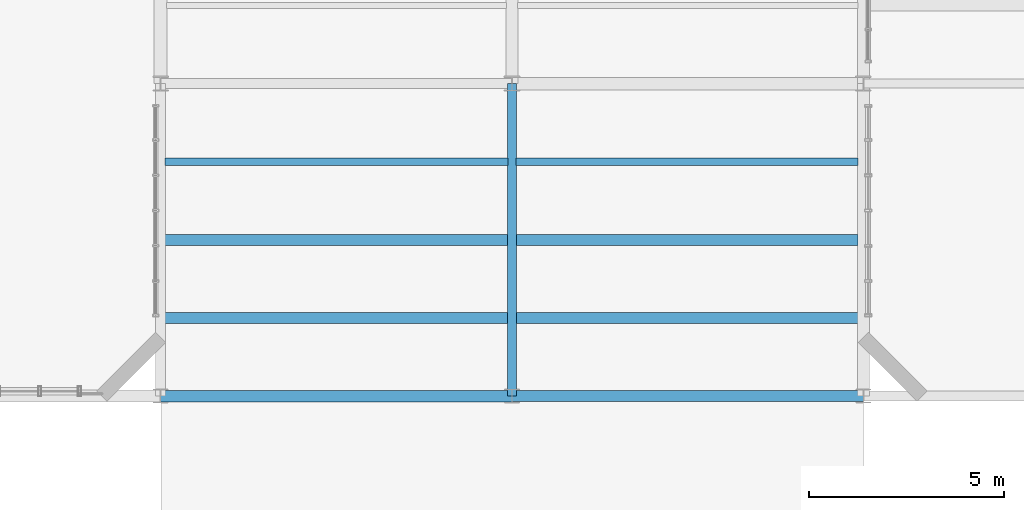
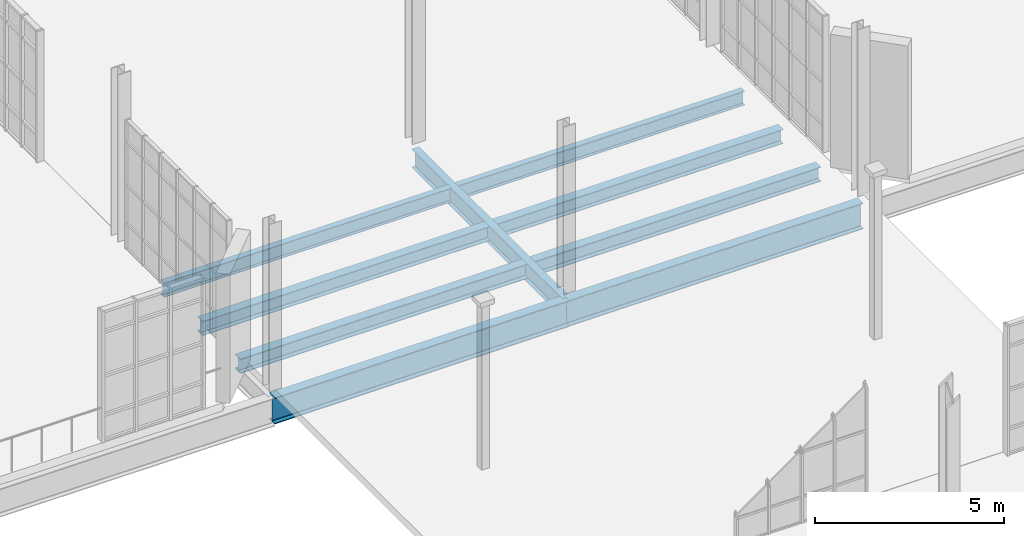
# One storey, part 66 of 189: 9 beams.
"""IFC4 building model written with IfcOpenShell, lengths in metres."""

from ifc_helpers import new_model, si_unit, direction, frame, origin, origin_2d, place, context, subcontext, project, spatial, i_section, extrude, material, material_profile, profile_set, type_object, element, save


model = new_model("IFC4")

# Units and contexts
model_context = context("Model", 3, precision=1e-05, world=origin(), true_north=direction((0.0, 1.0)))
body_context = subcontext(model_context, "Body", "Model", "MODEL_VIEW")
ifc_project = project(units=[si_unit("LENGTHUNIT", "METRE"), si_unit("AREAUNIT", "SQUARE_METRE"), si_unit("VOLUMEUNIT", "CUBIC_METRE"), si_unit("PLANEANGLEUNIT", "RADIAN"), si_unit("MASSUNIT", "GRAM", prefix="KILO"), si_unit("THERMODYNAMICTEMPERATUREUNIT", "KELVIN"), si_unit("POWERUNIT", "WATT")], contexts=[model_context])

# Site, building, storey
site_placement = place(None, origin())
site = spatial("IfcSite", under=ifc_project, at=site_placement, CompositionType="ELEMENT")
building_placement = place(site_placement, origin())
building = spatial("IfcBuilding", under=site, at=building_placement, Name="Zelmaris Science Centre", CompositionType="ELEMENT")
storey_placement = place(building_placement, origin())
storey = spatial("IfcBuildingStorey", under=building, at=storey_placement, Name="L00", CompositionType="ELEMENT", Elevation=0.0)

# Beams
ifc_material = material(Name="Steel ASTM A992 Grade 50", Category="steel")
ifc_material_profile_1 = material_profile(ifc_material, i_section(OverallWidth=0.294921875, OverallDepth=0.85107421875, WebThickness=0.01611328125, FlangeThickness=0.02685546875, FilletRadius=0.02001953125, at=origin_2d()), Name="W33X152")
ifc_profile_set_1 = profile_set([ifc_material_profile_1], Name="Steel ASTM A992 Grade 50")
beam_type_1 = type_object("IfcBeamType", Name="Beam G-06 W33X152", PredefinedType="BEAM", material=ifc_profile_set_1)
beam_1_placement = place(storey_placement, frame((72.0, 64.0, -0.70556640625), z_axis=(1.0, 0.0, 0.0), x_axis=(0.0, 1.0, 0.0)))
element("IfcBeam", 1, at=beam_1_placement, inside=storey, type_object=beam_type_1, Name="L00 East-west girder 157", PredefinedType="BEAM", context=body_context, shape_type="SweptSolid", body=[
    extrude(i_section(OverallWidth=0.294921875, OverallDepth=0.85107421875, WebThickness=0.01611328125, FlangeThickness=0.02685546875, FilletRadius=0.02001953125, at=origin_2d()), origin(), (0.0, 0.0, 1.0), 9.0),
])
ifc_material_profile_2 = material_profile(ifc_material, i_section(OverallWidth=0.2919921875, OverallDepth=0.841064453125, WebThickness=0.0146484375, FlangeThickness=0.021728515625, FilletRadius=0.02001953125, at=origin_2d()), Name="W33X130")
ifc_profile_set_2 = profile_set([ifc_material_profile_2], Name="Steel ASTM A992 Grade 50")
beam_type_2 = type_object("IfcBeamType", Name="Beam G-07 W33X130", PredefinedType="BEAM", material=ifc_profile_set_2)
beam_2_placement = place(storey_placement, frame((81.0, 64.0, -0.700439453125), z_axis=(1.0, 0.0, 0.0), x_axis=(0.0, 1.0, 0.0)))
element("IfcBeam", 2, at=beam_2_placement, inside=storey, type_object=beam_type_2, Name="L00 East-west girder 158", PredefinedType="BEAM", context=body_context, shape_type="SweptSolid", body=[
    extrude(i_section(OverallWidth=0.2919921875, OverallDepth=0.841064453125, WebThickness=0.0146484375, FlangeThickness=0.021728515625, FilletRadius=0.02001953125, at=origin_2d()), origin(), (0.0, 0.0, 1.0), 9.0),
])
ifc_material_profile_3 = material_profile(ifc_material, i_section(OverallWidth=0.22900390625, OverallDepth=0.60205078125, WebThickness=0.010498046875, FlangeThickness=0.014892578125, FilletRadius=0.014892578125, at=origin_2d()), Name="W24X68")
ifc_profile_set_3 = profile_set([ifc_material_profile_3], Name="Steel ASTM A992 Grade 50")
beam_type_3 = type_object("IfcBeamType", Name="Beam G-17 W24X68", PredefinedType="BEAM", material=ifc_profile_set_3)
beam_3_placement = place(storey_placement, frame((81.0, 64.0, -0.5810546875), z_axis=(0.0, 1.0, 0.0), x_axis=(-1.0, 0.0, 0.0)))
element("IfcBeam", 3, at=beam_3_placement, inside=storey, type_object=beam_type_3, Name="L00 North-south girder 41", PredefinedType="BEAM", context=body_context, shape_type="SweptSolid", body=[
    extrude(i_section(OverallWidth=0.22900390625, OverallDepth=0.60205078125, WebThickness=0.010498046875, FlangeThickness=0.014892578125, FilletRadius=0.014892578125, at=origin_2d()), origin(), (0.0, 0.0, 1.0), 8.0),
])
ifc_material_profile_4 = material_profile(ifc_material, i_section(OverallWidth=0.281982421875, OverallDepth=0.471923828125, WebThickness=0.013671875, FlangeThickness=0.022216796875, FilletRadius=0.012939453125, at=origin_2d()), Name="W18X97")
ifc_profile_set_4 = profile_set([ifc_material_profile_4], Name="Steel ASTM A992 Grade 50")
beam_type_4 = type_object("IfcBeamType", Name="Beam J-02 W18X97", PredefinedType="JOIST", material=ifc_profile_set_4)
beam_4_placement = place(storey_placement, frame((72.112060546875, 66.0, -0.51611328125), z_axis=(1.0, 0.0, 0.0), x_axis=(0.0, 1.0, 0.0)))
element("IfcBeam", 4, at=beam_4_placement, inside=storey, type_object=beam_type_4, Name="L00 Composite floor joist 46", PredefinedType="JOIST", context=body_context, shape_type="SweptSolid", body=[
    extrude(i_section(OverallWidth=0.281982421875, OverallDepth=0.471923828125, WebThickness=0.013671875, FlangeThickness=0.022216796875, FilletRadius=0.012939453125, at=origin_2d()), origin(), (0.0, 0.0, 1.0), 8.788330078125),
])
beam_5_placement = place(storey_placement, frame((81.099609375, 66.0, -0.51611328125), z_axis=(1.0, 0.0, 0.0), x_axis=(0.0, 1.0, 0.0)))
element("IfcBeam", 5, at=beam_5_placement, inside=storey, type_object=beam_type_4, Name="L00 Composite floor joist 55", PredefinedType="JOIST", context=body_context, shape_type="SweptSolid", body=[
    extrude(i_section(OverallWidth=0.281982421875, OverallDepth=0.471923828125, WebThickness=0.013671875, FlangeThickness=0.022216796875, FilletRadius=0.012939453125, at=origin_2d()), origin(), (0.0, 0.0, 1.0), 8.765380859375),
])
ifc_material_profile_5 = material_profile(ifc_material, i_section(OverallWidth=0.279052734375, OverallDepth=0.4619140625, WebThickness=0.0107421875, FlangeThickness=0.017333984375, FilletRadius=0.012939453125, at=origin_2d()), Name="W18X76")
ifc_profile_set_5 = profile_set([ifc_material_profile_5], Name="Steel ASTM A992 Grade 50")
beam_type_5 = type_object("IfcBeamType", Name="Beam J-03 W18X76", PredefinedType="JOIST", material=ifc_profile_set_5)
beam_6_placement = place(storey_placement, frame((72.112060546875, 68.0, -0.510986328125), z_axis=(1.0, 0.0, 0.0), x_axis=(0.0, 1.0, 0.0)))
element("IfcBeam", 6, at=beam_6_placement, inside=storey, type_object=beam_type_5, Name="L00 Composite floor joist 47", PredefinedType="JOIST", context=body_context, shape_type="SweptSolid", body=[
    extrude(i_section(OverallWidth=0.279052734375, OverallDepth=0.4619140625, WebThickness=0.0107421875, FlangeThickness=0.017333984375, FilletRadius=0.012939453125, at=origin_2d()), origin(), (0.0, 0.0, 1.0), 8.788330078125),
])
beam_7_placement = place(storey_placement, frame((81.099609375, 68.0, -0.510986328125), z_axis=(1.0, 0.0, 0.0), x_axis=(0.0, 1.0, 0.0)))
element("IfcBeam", 7, at=beam_7_placement, inside=storey, type_object=beam_type_5, Name="L00 Composite floor joist 56", PredefinedType="JOIST", context=body_context, shape_type="SweptSolid", body=[
    extrude(i_section(OverallWidth=0.279052734375, OverallDepth=0.4619140625, WebThickness=0.0107421875, FlangeThickness=0.017333984375, FilletRadius=0.012939453125, at=origin_2d()), origin(), (0.0, 0.0, 1.0), 8.765380859375),
])
ifc_material_profile_6 = material_profile(ifc_material, i_section(OverallWidth=0.19091796875, OverallDepth=0.4599609375, WebThickness=0.010009765625, FlangeThickness=0.01611328125, FilletRadius=0.012939453125, at=origin_2d()), Name="W18X55")
ifc_profile_set_6 = profile_set([ifc_material_profile_6], Name="Steel ASTM A992 Grade 50")
beam_type_6 = type_object("IfcBeamType", Name="Beam J-04 W18X55", PredefinedType="JOIST", material=ifc_profile_set_6)
beam_8_placement = place(storey_placement, frame((72.112060546875, 70.0, -0.510009765625), z_axis=(1.0, 0.0, 0.0), x_axis=(0.0, 1.0, 0.0)))
element("IfcBeam", 8, at=beam_8_placement, inside=storey, type_object=beam_type_6, Name="L00 Composite floor joist 48", PredefinedType="JOIST", context=body_context, shape_type="SweptSolid", body=[
    extrude(i_section(OverallWidth=0.19091796875, OverallDepth=0.4599609375, WebThickness=0.010009765625, FlangeThickness=0.01611328125, FilletRadius=0.012939453125, at=origin_2d()), origin(), (0.0, 0.0, 1.0), 8.788330078125),
])
beam_9_placement = place(storey_placement, frame((81.099609375, 70.0, -0.510009765625), z_axis=(1.0, 0.0, 0.0), x_axis=(0.0, 1.0, 0.0)))
element("IfcBeam", 9, at=beam_9_placement, inside=storey, type_object=beam_type_6, Name="L00 Composite floor joist 57", PredefinedType="JOIST", context=body_context, shape_type="SweptSolid", body=[
    extrude(i_section(OverallWidth=0.19091796875, OverallDepth=0.4599609375, WebThickness=0.010009765625, FlangeThickness=0.01611328125, FilletRadius=0.012939453125, at=origin_2d()), origin(), (0.0, 0.0, 1.0), 8.765380859375),
])

save(model, "model.ifc")
